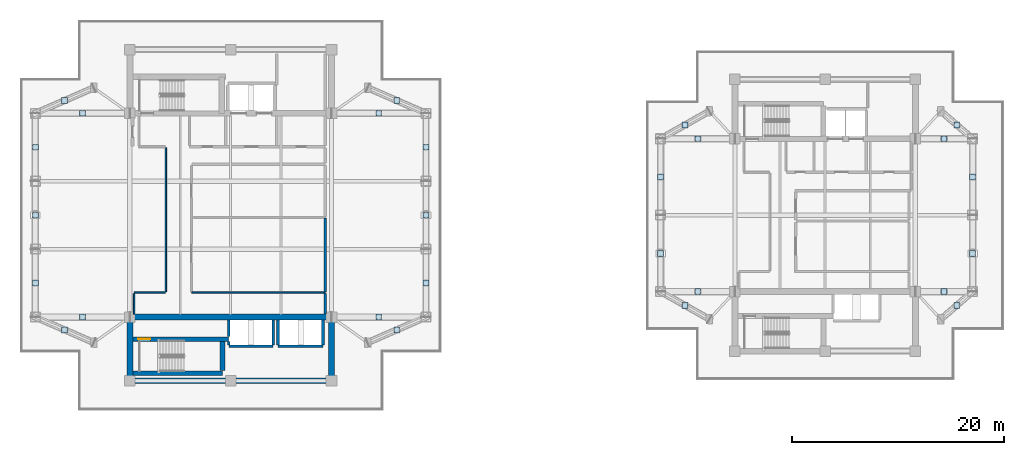
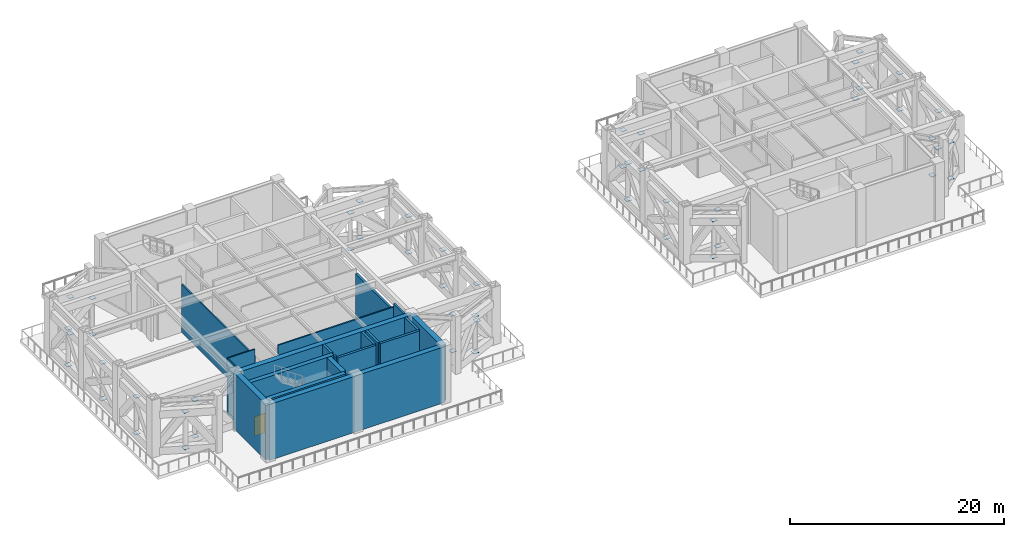
# One storey, part 9 of 18: 52 plates, 20 walls, 1 door, 1 opening.
"""IFC4 building model written with IfcOpenShell, lengths in metres."""

from ifc_helpers import new_model, si_unit, direction, frame, frame_2d, origin, origin_2d, place, context, subcontext, project, spatial, rectangle, extrude, material, layer, layer_set, type_object, element, fill, save


model = new_model("IFC4")

# Units and contexts
model_context = context("Model", 3, precision=1e-05, world=origin(), true_north=direction((0.0, 1.0)))
body_context = subcontext(model_context, "Body", "Model", "MODEL_VIEW")
ifc_project = project(units=[si_unit("LENGTHUNIT", "METRE"), si_unit("AREAUNIT", "SQUARE_METRE"), si_unit("VOLUMEUNIT", "CUBIC_METRE"), si_unit("PLANEANGLEUNIT", "RADIAN"), si_unit("MASSUNIT", "GRAM", prefix="KILO")], contexts=[model_context])

# Site, building, storey
site_placement = place(None, origin())
site = spatial("IfcSite", under=ifc_project, at=site_placement, CompositionType="ELEMENT")
building_placement = place(site_placement, origin())
building = spatial("IfcBuilding", under=site, at=building_placement, Name="Mirazonda Arch Towers", CompositionType="ELEMENT")
storey_placement = place(building_placement, frame((0.0, 0.0, 147.800048828125)))
storey = spatial("IfcBuildingStorey", under=building, at=storey_placement, Name="L42", CompositionType="ELEMENT", Elevation=147.800048828125)

# Plates
ifc_material_1 = material(Name="Steel ASTM A572 Grade 50", Category="steel")
ifc_layer_1 = layer(ifc_material_1, 0.030029296875, Name="PLATE-CAP-550x550x30")
ifc_layer_set_1 = layer_set([ifc_layer_1], Name="Steel ASTM A572 Grade 50")
plate_type = type_object("IfcPlateType", Name="PLATE-CAP-550x550x30", PredefinedType="USERDEFINED", material=ifc_layer_set_1)
for number, where, z_axis, x_axis, name in (
    (1, (2.10009765625, 21.60009765625, 0.52197265625), (0.0, 0.0, 1.0), (1.0, 0.0, 0.0), "Steel end closure plate NP-BLT-L42-T1-ST01A"),
    (2, (2.10009765625, 21.60009765625, 4.7080078125), (0.0, 0.0, 1.0), (1.0, 0.0, 0.0), "Steel end closure plate NP-BLT-L42-T1-ST01B"),
    (3, (2.10009765625, 28.0, 0.52197265625), (0.0, 0.0, 1.0), (1.0, 0.0, 0.0), "Steel end closure plate NP-BLT-L42-T1-ST02A"),
    (4, (2.10009765625, 28.0, 4.7080078125), (0.0, 0.0, 1.0), (1.0, 0.0, 0.0), "Steel end closure plate NP-BLT-L42-T1-ST02B"),
    (5, (2.10009765625, 34.39990234375, 0.52197265625), (0.0, 0.0, 1.0), (1.0, 0.0, 0.0), "Steel end closure plate NP-BLT-L42-T1-ST03A"),
    (6, (2.10009765625, 34.39990234375, 4.7080078125), (0.0, 0.0, 1.0), (1.0, 0.0, 0.0), "Steel end closure plate NP-BLT-L42-T1-ST03B"),
    (7, (38.89990234375, 21.60009765625, 0.52197265625), (0.0, 0.0, 1.0), (1.0, 0.0, 0.0), "Steel end closure plate NP-BLT-L42-T1-ST04A"),
    (8, (38.89990234375, 21.60009765625, 4.7080078125), (0.0, 0.0, 1.0), (1.0, 0.0, 0.0), "Steel end closure plate NP-BLT-L42-T1-ST04B"),
    (9, (38.89990234375, 28.0, 0.52197265625), (0.0, 0.0, 1.0), (1.0, 0.0, 0.0), "Steel end closure plate NP-BLT-L42-T1-ST05A"),
    (10, (38.89990234375, 28.0, 4.7080078125), (0.0, 0.0, 1.0), (1.0, 0.0, 0.0), "Steel end closure plate NP-BLT-L42-T1-ST05B"),
    (11, (38.89990234375, 34.39990234375, 0.52197265625), (0.0, 0.0, 1.0), (1.0, 0.0, 0.0), "Steel end closure plate NP-BLT-L42-T1-ST06A"),
    (12, (38.89990234375, 34.39990234375, 4.7080078125), (0.0, 0.0, 1.0), (1.0, 0.0, 0.0), "Steel end closure plate NP-BLT-L42-T1-ST06B"),
    (13, (4.85009765625, 17.199951171875, 0.52197265625), (0.0, 0.0, 1.0), (1.0, 0.0, 0.0), "Steel end closure plate NP-BLT-L42-T1-ST07A"),
    (14, (4.85009765625, 17.199951171875, 4.7080078125), (0.0, 0.0, 1.0), (1.0, 0.0, 0.0), "Steel end closure plate NP-BLT-L42-T1-ST07B"),
    (15, (36.14990234375, 17.199951171875, 0.52197265625), (0.0, 0.0, 1.0), (1.0, 0.0, 0.0), "Steel end closure plate NP-BLT-L42-T1-ST08A"),
    (16, (36.14990234375, 17.199951171875, 4.7080078125), (0.0, 0.0, 1.0), (1.0, 0.0, 0.0), "Steel end closure plate NP-BLT-L42-T1-ST08B"),
    (17, (4.85009765625, 38.800048828125, 0.52197265625), (0.0, 0.0, 1.0), (1.0, 0.0, 0.0), "Steel end closure plate NP-BLT-L42-T1-ST09A"),
    (18, (4.85009765625, 38.800048828125, 4.7080078125), (0.0, 0.0, 1.0), (1.0, 0.0, 0.0), "Steel end closure plate NP-BLT-L42-T1-ST09B"),
    (19, (36.14990234375, 38.800048828125, 0.52197265625), (0.0, 0.0, 1.0), (1.0, 0.0, 0.0), "Steel end closure plate NP-BLT-L42-T1-ST10A"),
    (20, (36.14990234375, 38.800048828125, 4.7080078125), (0.0, 0.0, 1.0), (1.0, 0.0, 0.0), "Steel end closure plate NP-BLT-L42-T1-ST10B"),
    (21, (6.550048828125, 18.39990234375, 0.52197265625), (0.0, 0.0, 1.0), (1.0, 0.0, 0.0), "Steel end closure plate NP-OUT-L42-T1-ST01A"),
    (22, (6.550048828125, 18.39990234375, 4.7080078125), (0.0, 0.0, 1.0), (1.0, 0.0, 0.0), "Steel end closure plate NP-OUT-L42-T1-ST01B"),
    (23, (34.449951171875, 18.39990234375, 0.52197265625), (0.0, 0.0, 1.0), (1.0, 0.0, 0.0), "Steel end closure plate NP-OUT-L42-T1-ST02A"),
    (24, (34.449951171875, 18.39990234375, 4.7080078125), (0.0, 0.0, 1.0), (1.0, 0.0, 0.0), "Steel end closure plate NP-OUT-L42-T1-ST02B"),
    (25, (6.550048828125, 37.60009765625, 0.52197265625), (0.0, 0.0, 1.0), (1.0, 0.0, 0.0), "Steel end closure plate NP-OUT-L42-T1-ST03A"),
    (26, (6.550048828125, 37.60009765625, 4.7080078125), (0.0, 0.0, 1.0), (1.0, 0.0, 0.0), "Steel end closure plate NP-OUT-L42-T1-ST03B"),
    (27, (34.449951171875, 37.60009765625, 0.52197265625), (0.0, 0.0, 1.0), (1.0, 0.0, 0.0), "Steel end closure plate NP-OUT-L42-T1-ST04A"),
    (28, (34.449951171875, 37.60009765625, 4.7080078125), (0.0, 0.0, 1.0), (1.0, 0.0, 0.0), "Steel end closure plate NP-OUT-L42-T1-ST04B"),
    (29, (61.0, 24.39990234375, 0.52197265625), (0.0, 0.0, 1.0), (1.0, 0.0, 0.0), "Steel end closure plate NP-BLT-L42-T2-ST01A"),
    (30, (61.0, 24.39990234375, 4.7080078125), (0.0, 0.0, 1.0), (1.0, 0.0, 0.0), "Steel end closure plate NP-BLT-L42-T2-ST01B"),
    (31, (61.0, 31.60009765625, 0.52197265625), (0.0, 0.0, 1.0), (1.0, 0.0, 0.0), "Steel end closure plate NP-BLT-L42-T2-ST02A"),
    (32, (61.0, 31.60009765625, 4.7080078125), (0.0, 0.0, 1.0), (1.0, 0.0, 0.0), "Steel end closure plate NP-BLT-L42-T2-ST02B"),
    (33, (90.39990234375, 24.39990234375, 0.52197265625), (0.0, 0.0, 1.0), (1.0, 0.0, 0.0), "Steel end closure plate NP-BLT-L42-T2-ST03A"),
    (34, (90.39990234375, 24.39990234375, 4.7080078125), (0.0, 0.0, 1.0), (1.0, 0.0, 0.0), "Steel end closure plate NP-BLT-L42-T2-ST03B"),
    (35, (90.39990234375, 31.60009765625, 0.52197265625), (0.0, 0.0, 1.0), (1.0, 0.0, 0.0), "Steel end closure plate NP-BLT-L42-T2-ST04A"),
    (36, (90.39990234375, 31.60009765625, 4.7080078125), (0.0, 0.0, 1.0), (1.0, 0.0, 0.0), "Steel end closure plate NP-BLT-L42-T2-ST04B"),
    (37, (63.300048828125, 19.5, 0.52197265625), (0.0, 0.0, 1.0), (1.0, 0.0, 0.0), "Steel end closure plate NP-BLT-L42-T2-ST05A"),
    (38, (63.300048828125, 19.5, 4.7080078125), (0.0, 0.0, 1.0), (1.0, 0.0, 0.0), "Steel end closure plate NP-BLT-L42-T2-ST05B"),
    (39, (88.89990234375, 19.5, 0.52197265625), (0.0, 0.0, 1.0), (1.0, 0.0, 0.0), "Steel end closure plate NP-BLT-L42-T2-ST06A"),
    (40, (88.89990234375, 19.5, 4.7080078125), (0.0, 0.0, 1.0), (1.0, 0.0, 0.0), "Steel end closure plate NP-BLT-L42-T2-ST06B"),
    (41, (63.300048828125, 36.5, 0.52197265625), (0.0, 0.0, 1.0), (1.0, 0.0, 0.0), "Steel end closure plate NP-BLT-L42-T2-ST07A"),
    (42, (63.300048828125, 36.5, 4.7080078125), (0.0, 0.0, 1.0), (1.0, 0.0, 0.0), "Steel end closure plate NP-BLT-L42-T2-ST07B"),
    (43, (88.89990234375, 36.5, 0.52197265625), (0.0, 0.0, 1.0), (1.0, 0.0, 0.0), "Steel end closure plate NP-BLT-L42-T2-ST08A"),
    (44, (88.89990234375, 36.5, 4.7080078125), (0.0, 0.0, 1.0), (1.0, 0.0, 0.0), "Steel end closure plate NP-BLT-L42-T2-ST08B"),
    (45, (64.5, 20.800048828125, 0.52197265625), (0.0, 0.0, 1.0), (1.0, 0.0, 0.0), "Steel end closure plate NP-OUT-L42-T2-ST01A"),
    (46, (64.5, 20.800048828125, 4.7080078125), (0.0, 0.0, 1.0), (1.0, 0.0, 0.0), "Steel end closure plate NP-OUT-L42-T2-ST01B"),
    (47, (87.699951171875, 20.800048828125, 0.52197265625), (0.0, 0.0, 1.0), (1.0, 0.0, 0.0), "Steel end closure plate NP-OUT-L42-T2-ST02A"),
    (48, (87.699951171875, 20.800048828125, 4.7080078125), (0.0, 0.0, 1.0), (1.0, 0.0, 0.0), "Steel end closure plate NP-OUT-L42-T2-ST02B"),
    (49, (64.5, 35.199951171875, 0.52197265625), (0.0, 0.0, 1.0), (1.0, 0.0, 0.0), "Steel end closure plate NP-OUT-L42-T2-ST03A"),
    (50, (64.5, 35.199951171875, 4.7080078125), (0.0, 0.0, 1.0), (1.0, 0.0, 0.0), "Steel end closure plate NP-OUT-L42-T2-ST03B"),
    (51, (87.699951171875, 35.199951171875, 0.52197265625), (0.0, 0.0, 1.0), (1.0, 0.0, 0.0), "Steel end closure plate NP-OUT-L42-T2-ST04A"),
    (52, (87.699951171875, 35.199951171875, 4.7080078125), (0.0, 0.0, 1.0), (1.0, 0.0, 0.0), "Steel end closure plate NP-OUT-L42-T2-ST04B"),
):
    element("IfcPlate", number, at=place(storey_placement, frame(where, z_axis=z_axis, x_axis=x_axis)), inside=storey, type_object=plate_type, Name=name, ObjectType="CAP PLATE", PredefinedType="USERDEFINED", context=body_context, shape_type="SweptSolid", body=[
        extrude(rectangle(XDim=0.550048828125, YDim=0.550048828125, at=origin_2d()), origin(), (0.0, 0.0, 1.0), 0.0400390625),
    ])

# Wall
ifc_material_2 = material(Name="Concrete C50/60", Category="concrete")
ifc_layer_2 = layer(ifc_material_2, 0.449951171875, Name="WALL-CORE-450")
ifc_layer_set_2 = layer_set([ifc_layer_2], Name="Concrete C50/60")
wall_type_1 = type_object("IfcWallType", Name="WALL-CORE-450", PredefinedType="SHEAR", material=ifc_layer_set_2)
wall_1_placement = place(storey_placement, frame((11.27001953125, 13.1201171875, 0.0), z_axis=(0.0, 0.0, 1.0), x_axis=(1.0, 0.0, 0.0)))
element("IfcWall", 53, at=wall_1_placement, inside=storey, type_object=wall_type_1, Name="L42 Stair Core Shear Wall 001", PredefinedType="SHEAR", context=body_context, shape_type="SweptSolid", body=[
    extrude(rectangle(XDim=8.4599609375, YDim=0.449951171875, at=frame_2d((4.22998046875, 0.0))), origin(), (0.0, 0.0, 1.0), 6.39990234375),
])

# Wall, opening, door
wall_2_placement = place(storey_placement, frame((11.27001953125, 16.320068359375, 0.0), z_axis=(0.0, 0.0, 1.0), x_axis=(1.0, 0.0, 0.0)))
wall_2 = element("IfcWall", 54, at=wall_2_placement, inside=storey, type_object=wall_type_1, Name="L42 Stair Core Shear Wall 004", PredefinedType="SHEAR", context=body_context, shape_type="SweptSolid", body=[
    extrude(rectangle(XDim=9.010009765625, YDim=0.449951171875, at=frame_2d((4.5048828125, 0.0))), origin(), (0.0, 0.0, 1.0), 6.39990234375),
])
opening_placement = place(wall_2_placement, frame((0.52001953125, 0.0, 0.0)))
opening = element("IfcOpeningElement", 55, at=opening_placement, cuts=wall_2, Name="Opening DR-135", PredefinedType="OPENING", context=body_context, shape_type="SweptSolid", body=[
    extrude(rectangle(XDim=1.14990234375, YDim=2.199951171875, at=frame_2d((0.574951171875, 1.10009765625))), frame((0.0, 0.23486328125, 0.0), z_axis=(0.0, -1.0, 0.0), x_axis=(1.0, 0.0, 0.0)), (0.0, 0.0, 1.0), 0.469970703125),
])
ifc_material_3 = material(Name="Architectural Brushed Steel S355", Category="steel")
door_type = type_object("IfcDoorType", Name="DOOR-STAIR-FD90-1150", OperationType="NOTDEFINED", PredefinedType="DOOR", material=ifc_material_3)
door_placement = place(opening_placement, origin())
door = element("IfcDoor", 56, at=door_placement, inside=storey, type_object=door_type, Name="L42 Protected Exit Stair South Door", OperationType="SINGLE_SWING_RIGHT", OverallHeight=2.199951171875, OverallWidth=1.14990234375, PredefinedType="DOOR", context=body_context, shape_type="SweptSolid", body=[
    extrude(rectangle(XDim=1.14990234375, YDim=2.199951171875, at=frame_2d((0.574951171875, 1.10009765625))), frame((0.0, 0.02490234375, 0.0), z_axis=(0.0, -1.0, 0.0), x_axis=(1.0, 0.0, 0.0)), (0.0, 0.0, 1.0), 0.050048828125),
])
fill(opening, door)

# Walls
wall_3_placement = place(storey_placement, frame((19.72998046875, 13.35498046875, 0.0), z_axis=(0.0, 0.0, 1.0), x_axis=(0.0, 1.0, 0.0)))
element("IfcWall", 57, at=wall_3_placement, inside=storey, type_object=wall_type_1, Name="L42 Stair Core Shear Wall 027", PredefinedType="SHEAR", context=body_context, shape_type="SweptSolid", body=[
    extrude(rectangle(XDim=2.72998046875, YDim=0.449951171875, at=frame_2d((1.364990234375, 0.0))), origin(), (0.0, 0.0, 1.0), 6.39990234375),
])
ifc_layer_3 = layer(ifc_material_2, 0.550048828125, Name="WALL-CORE-550")
ifc_layer_set_3 = layer_set([ifc_layer_3], Name="Concrete C50/60")
wall_type_2 = type_object("IfcWallType", Name="WALL-CORE-550", PredefinedType="SHEAR", material=ifc_layer_set_3)
wall_4_placement = place(storey_placement, frame((11.0, 12.39990234375, 0.0), z_axis=(0.0, 0.0, 1.0), x_axis=(1.0, 0.0, 0.0)))
element("IfcWall", 58, at=wall_4_placement, inside=storey, type_object=wall_type_2, Name="L42 T1S-S Core Shear Wall", PredefinedType="SHEAR", context=body_context, shape_type="SweptSolid", body=[
    extrude(rectangle(XDim=19.0, YDim=0.550048828125, at=frame_2d((9.5, 0.0))), origin(), (0.0, 0.0, 1.0), 6.39990234375),
])
for number, where, z_axis, x_axis, name in (
    (59, (11.0, 12.39990234375, 0.0), (0.0, 0.0, 1.0), (0.0, 1.0, 0.0), "L42 T1S-W Core Shear Wall"),
    (60, (30.0, 12.39990234375, 0.0), (0.0, 0.0, 1.0), (0.0, 1.0, 0.0), "L42 T1S-E Core Shear Wall"),
):
    element("IfcWall", number, at=place(storey_placement, frame(where, z_axis=z_axis, x_axis=x_axis)), inside=storey, type_object=wall_type_2, Name=name, PredefinedType="SHEAR", context=body_context, shape_type="SweptSolid", body=[
        extrude(rectangle(XDim=6.0, YDim=0.550048828125, at=frame_2d((3.0, 0.0))), origin(), (0.0, 0.0, 1.0), 6.39990234375),
    ])
wall_5_placement = place(storey_placement, frame((11.0, 18.39990234375, 0.0), z_axis=(0.0, 0.0, 1.0), x_axis=(1.0, 0.0, 0.0)))
element("IfcWall", 61, at=wall_5_placement, inside=storey, type_object=wall_type_2, Name="L42 T1S-N Core Shear Wall", PredefinedType="SHEAR", context=body_context, shape_type="SweptSolid", body=[
    extrude(rectangle(XDim=19.0, YDim=0.550048828125, at=frame_2d((9.5, 0.0))), origin(), (0.0, 0.0, 1.0), 6.39990234375),
])
ifc_material_4 = material(Name="Concrete C40/50", Category="concrete")
ifc_layer_4 = layer(ifc_material_4, 0.219970703125, Name="WALL-FFL-220")
ifc_layer_set_4 = layer_set([ifc_layer_4], Name="Concrete C40/50")
wall_type_3 = type_object("IfcWallType", Name="WALL-FFL-220", PredefinedType="SOLIDWALL", material=ifc_layer_set_4)
wall_6_placement = place(storey_placement, frame((29.39990234375, 18.669921875, 0.0), z_axis=(0.0, 0.0, 1.0), x_axis=(0.0, 1.0, 0.0)))
element("IfcWall", 62, at=wall_6_placement, inside=storey, type_object=wall_type_3, Name="L42 Interior Partition 038", PredefinedType="SOLIDWALL", context=body_context, shape_type="SweptSolid", body=[
    extrude(rectangle(XDim=1.945068359375, YDim=0.219970703125, at=frame_2d((0.97265625, 0.0))), origin(), (0.0, 0.0, 1.0), 6.39990234375),
])
wall_7_placement = place(storey_placement, frame((29.39990234375, 20.784912109375, 0.0), z_axis=(0.0, 0.0, 1.0), x_axis=(0.0, 1.0, 0.0)))
element("IfcWall", 63, at=wall_7_placement, inside=storey, type_object=wall_type_3, Name="L42 Interior Partition 039", PredefinedType="SOLIDWALL", context=body_context, shape_type="SweptSolid", body=[
    extrude(rectangle(XDim=6.93017578125, YDim=0.219970703125, at=frame_2d((3.465087890625, 0.0))), origin(), (0.0, 0.0, 1.0), 5.535888671875),
])
ifc_material_5 = material(Name="Fire-Rated Gypsum Stud Partition")
ifc_layer_5 = layer(ifc_material_5, 0.14990234375, Name="WALL-PART-CORR-150")
ifc_layer_set_5 = layer_set([ifc_layer_5], Name="Fire-Rated Gypsum Stud Partition")
wall_type_4 = type_object("IfcWallType", Name="WALL-PART-CORR-150", PredefinedType="PARTITIONING", material=ifc_layer_set_5)
wall_8_placement = place(storey_placement, frame((11.39990234375, 20.699951171875, 0.0), z_axis=(0.0, 0.0, 1.0), x_axis=(1.0, 0.0, 0.0)))
element("IfcWall", 64, at=wall_8_placement, inside=storey, type_object=wall_type_4, Name="L42 Interior Partition 007", PredefinedType="PARTITIONING", context=body_context, shape_type="SweptSolid", body=[
    extrude(rectangle(XDim=2.9501953125, YDim=0.14990234375, at=frame_2d((1.47509765625, 0.0))), origin(), (0.0, 0.0, 1.0), 6.39990234375),
])
wall_9_placement = place(storey_placement, frame((16.85009765625, 20.699951171875, 0.0), z_axis=(0.0, 0.0, 1.0), x_axis=(1.0, 0.0, 0.0)))
element("IfcWall", 65, at=wall_9_placement, inside=storey, type_object=wall_type_4, Name="L42 Interior Partition 008", PredefinedType="PARTITIONING", context=body_context, shape_type="SweptSolid", body=[
    extrude(rectangle(XDim=12.5498046875, YDim=0.14990234375, at=frame_2d((6.27490234375, 0.0))), origin(), (0.0, 0.0, 1.0), 5.974853515625),
])
wall_10_placement = place(storey_placement, frame((11.39990234375, 18.669921875, 0.0), z_axis=(0.0, 0.0, 1.0), x_axis=(0.0, 1.0, 0.0)))
element("IfcWall", 66, at=wall_10_placement, inside=storey, type_object=wall_type_4, Name="L42 Interior Partition 022", PredefinedType="PARTITIONING", context=body_context, shape_type="SweptSolid", body=[
    extrude(rectangle(XDim=1.945068359375, YDim=0.14990234375, at=frame_2d((0.97265625, 0.0))), origin(), (0.0, 0.0, 1.0), 6.39990234375),
])
wall_11_placement = place(storey_placement, frame((14.39990234375, 20.784912109375, 0.0), z_axis=(0.0, 0.0, 1.0), x_axis=(0.0, 1.0, 0.0)))
element("IfcWall", 67, at=wall_11_placement, inside=storey, type_object=wall_type_4, Name="L42 Interior Partition 024", PredefinedType="PARTITIONING", context=body_context, shape_type="SweptSolid", body=[
    extrude(rectangle(XDim=13.580078125, YDim=0.14990234375, at=frame_2d((6.7900390625, 0.0))), origin(), (0.0, 0.0, 1.0), 5.535888671875),
])
ifc_layer_6 = layer(ifc_material_4, 0.25, Name="WALL-SHAFT-250")
ifc_layer_set_6 = layer_set([ifc_layer_6], Name="Concrete C40/50")
wall_type_5 = type_object("IfcWallType", Name="WALL-SHAFT-250", PredefinedType="SOLIDWALL", material=ifc_layer_set_6)
wall_12_placement = place(storey_placement, frame((20.35009765625, 15.64990234375, 0.0), z_axis=(0.0, 0.0, 1.0), x_axis=(1.0, 0.0, 0.0)))
element("IfcWall", 68, at=wall_12_placement, inside=storey, type_object=wall_type_5, Name="L42 Interior Partition 002", PredefinedType="SOLIDWALL", context=body_context, shape_type="SweptSolid", body=[
    extrude(rectangle(XDim=4.14990234375, YDim=0.25, at=frame_2d((2.074951171875, 0.0))), origin(), (0.0, 0.0, 1.0), 6.39990234375),
])
wall_13_placement = place(storey_placement, frame((24.949951171875, 15.64990234375, 0.0), z_axis=(0.0, 0.0, 1.0), x_axis=(1.0, 0.0, 0.0)))
element("IfcWall", 69, at=wall_13_placement, inside=storey, type_object=wall_type_5, Name="L42 Interior Partition 003", PredefinedType="SOLIDWALL", context=body_context, shape_type="SweptSolid", body=[
    extrude(rectangle(XDim=4.25, YDim=0.25, at=frame_2d((2.125, 0.0))), origin(), (0.0, 0.0, 1.0), 6.39990234375),
])
wall_14_placement = place(storey_placement, frame((20.31494140625, 15.784912109375, 0.0), z_axis=(0.0, 0.0, 1.0), x_axis=(0.0, 1.0, 0.0)))
element("IfcWall", 70, at=wall_14_placement, inside=storey, type_object=wall_type_5, Name="L42 Interior Partition 029", PredefinedType="SOLIDWALL", context=body_context, shape_type="SweptSolid", body=[
    extrude(rectangle(XDim=0.300048828125, YDim=0.25, at=frame_2d((0.14990234375, 0.0))), origin(), (0.0, 0.0, 1.0), 6.39990234375),
])
wall_15_placement = place(storey_placement, frame((20.31494140625, 16.554931640625, 0.0), z_axis=(0.0, 0.0, 1.0), x_axis=(0.0, 1.0, 0.0)))
element("IfcWall", 71, at=wall_15_placement, inside=storey, type_object=wall_type_5, Name="L42 Interior Partition 030", PredefinedType="SOLIDWALL", context=body_context, shape_type="SweptSolid", body=[
    extrude(rectangle(XDim=1.574951171875, YDim=0.25, at=frame_2d((0.78759765625, 0.0))), origin(), (0.0, 0.0, 1.0), 6.39990234375),
])
for number, where, z_axis, x_axis, name in (
    (72, (24.5, 15.784912109375, 0.0), (0.0, 0.0, 1.0), (0.0, 1.0, 0.0), "L42 Interior Partition 032"),
    (73, (24.949951171875, 15.784912109375, 0.0), (0.0, 0.0, 1.0), (0.0, 1.0, 0.0), "L42 Interior Partition 034"),
    (74, (29.199951171875, 15.784912109375, 0.0), (0.0, 0.0, 1.0), (0.0, 1.0, 0.0), "L42 Interior Partition 037"),
):
    element("IfcWall", number, at=place(storey_placement, frame(where, z_axis=z_axis, x_axis=x_axis)), inside=storey, type_object=wall_type_5, Name=name, PredefinedType="SOLIDWALL", context=body_context, shape_type="SweptSolid", body=[
        extrude(rectangle(XDim=2.344970703125, YDim=0.25, at=frame_2d((1.17236328125, 0.0))), origin(), (0.0, 0.0, 1.0), 6.39990234375),
    ])

save(model, "model.ifc")
